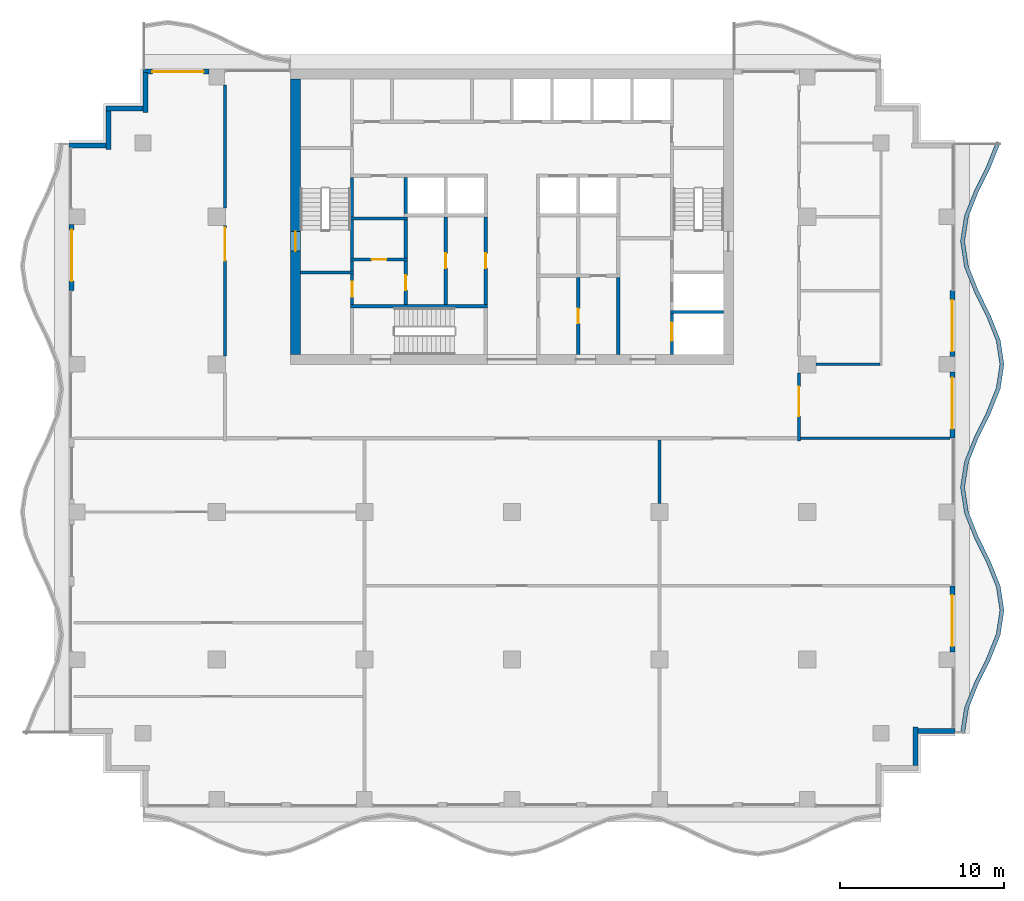
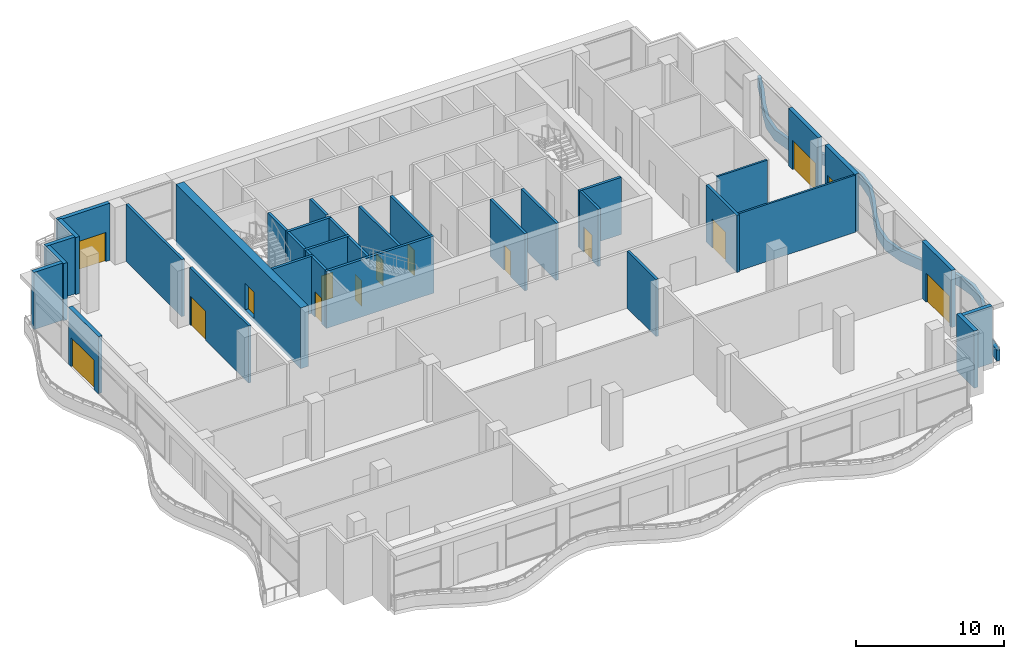
# One storey, part 8 of 15: 36 walls, 15 doors, 15 openings.
"""IFC4 building model written with IfcOpenShell, lengths in metres."""

from ifc_helpers import new_model, si_unit, direction, frame, frame_2d, origin, place, context, subcontext, project, spatial, polyline, rectangle, outline, extrude, material, layer, layer_set, type_object, element, fill, save


model = new_model("IFC4")

# Units and contexts
model_context = context("Model", 3, precision=1e-05, world=origin(), true_north=direction((0.0, 1.0)))
body_context = subcontext(model_context, "Body", "Model", "MODEL_VIEW")
ifc_project = project(units=[si_unit("LENGTHUNIT", "METRE"), si_unit("AREAUNIT", "SQUARE_METRE"), si_unit("VOLUMEUNIT", "CUBIC_METRE"), si_unit("PLANEANGLEUNIT", "RADIAN"), si_unit("MASSUNIT", "GRAM", prefix="KILO")], contexts=[model_context])

# Site, building, storey
site_placement = place(None, origin())
site = spatial("IfcSite", under=ifc_project, at=site_placement, CompositionType="ELEMENT")
building_placement = place(site_placement, origin())
building = spatial("IfcBuilding", under=site, at=building_placement, Name="Orbiselva Terraces", CompositionType="ELEMENT")
storey_placement = place(building_placement, frame((0.0, 0.0, 233.8)))
storey = spatial("IfcBuildingStorey", under=building, at=storey_placement, Name="L59", CompositionType="ELEMENT", Elevation=233.8)

# Wall, opening, door
ifc_material_1 = material(Name="Concrete C80/95", Category="concrete")
ifc_layer_1 = layer(ifc_material_1, 0.6)
ifc_layer_set_1 = layer_set([ifc_layer_1], Name="Concrete C80/95")
wall_type_1 = type_object("IfcWallType", Name="CORE WALL 600", PredefinedType="SHEAR", material=ifc_layer_set_1)
wall_1_placement = place(storey_placement, frame((-13.2, 21.9, -0.3), z_axis=(0.0, 0.0, 1.0), x_axis=(0.0, -1.0, 0.0)))
wall_1 = element("IfcWall", 1, at=wall_1_placement, inside=storey, type_object=wall_type_1, Name="Core wall L59 west", PredefinedType="SHEAR", context=body_context, shape_type="SweptSolid", body=[
    extrude(rectangle(XDim=16.8, YDim=0.6, at=frame_2d((8.4, 0.0))), origin(), (0.0, 0.0, 1.0), 5.0),
])
opening_1_placement = place(wall_1_placement, frame((9.3, 0.0, 0.3)))
opening_1 = element("IfcOpeningElement", 2, at=opening_1_placement, cuts=wall_1, Name="Opening DS1200", PredefinedType="OPENING", context=body_context, shape_type="SweptSolid", body=[
    extrude(rectangle(XDim=1.2, YDim=2.2, at=frame_2d((0.6, 1.1))), frame((0.0, 0.31, 0.0), z_axis=(0.0, -1.0, 0.0), x_axis=(1.0, 0.0, 0.0)), (0.0, 0.0, 1.0), 0.62),
])
ifc_material_2 = material(Name="Steel fire door", Category="steel")
door_type_1 = type_object("IfcDoorType", Name="STAIR DOOR 1200", OperationType="NOTDEFINED", PredefinedType="DOOR", material=ifc_material_2)
door_1_placement = place(opening_1_placement, frame((1.2, 0.0, 0.0), z_axis=(0.0, 0.0, 1.0), x_axis=(-1.0, 0.0, 0.0)))
door_1 = element("IfcDoor", 3, at=door_1_placement, inside=storey, type_object=door_type_1, Name="L59 EXIT STAIR S1 door", OperationType="SINGLE_SWING_RIGHT", OverallHeight=2.2, OverallWidth=1.2, PredefinedType="DOOR", context=body_context, shape_type="SweptSolid", body=[
    extrude(rectangle(XDim=1.2, YDim=2.2, at=frame_2d((0.6, 1.1))), frame((0.0, 0.025, 0.0), z_axis=(0.0, -1.0, 0.0), x_axis=(1.0, 0.0, 0.0)), (0.0, 0.0, 1.0), 0.05),
])
fill(opening_1, door_1)

ifc_material_3 = material(Name="Masonry blockwork", Category="masonry")
ifc_layer_2 = layer(ifc_material_3, 0.2)
ifc_layer_set_2 = layer_set([ifc_layer_2], Name="Masonry blockwork")
wall_type_2 = type_object("IfcWallType", Name="CORE-WALL-PARTITION-200", PredefinedType="PARTITIONING", material=ifc_layer_set_2)
wall_2_placement = place(storey_placement, frame((-9.75, 8.15, 0.0), z_axis=(0.0, 0.0, 1.0), x_axis=(0.0, 1.0, 0.0)))
wall_2 = element("IfcWall", 4, at=wall_2_placement, inside=storey, type_object=wall_type_2, Name="L59 core wall 05", PredefinedType="PARTITIONING", context=body_context, shape_type="SweptSolid", body=[
    extrude(rectangle(XDim=1.85, YDim=0.2, at=frame_2d((0.925, 0.0))), origin(), (0.0, 0.0, 1.0), 4.7),
])
opening_2_placement = place(wall_2_placement, frame((0.475, 0.0, 0.0)))
opening_2 = element("IfcOpeningElement", 5, at=opening_2_placement, cuts=wall_2, Name="Opening DR900", PredefinedType="OPENING", context=body_context, shape_type="SweptSolid", body=[
    extrude(rectangle(XDim=0.9, YDim=2.1, at=frame_2d((0.45, 1.05))), frame((0.0, 0.11, 0.0), z_axis=(0.0, -1.0, 0.0), x_axis=(1.0, 0.0, 0.0)), (0.0, 0.0, 1.0), 0.22),
])
door_type_2 = type_object("IfcDoorType", Name="ROOM DOOR 900", OperationType="NOTDEFINED", PredefinedType="DOOR", material=ifc_material_2)
door_2_placement = place(opening_2_placement, origin())
door_2 = element("IfcDoor", 6, at=door_2_placement, inside=storey, type_object=door_type_2, Name="L59 STAFF WC door", OperationType="SINGLE_SWING_RIGHT", OverallHeight=2.1, OverallWidth=0.9, PredefinedType="DOOR", context=body_context, shape_type="SweptSolid", body=[
    extrude(rectangle(XDim=0.9, YDim=2.1, at=frame_2d((0.45, 1.05))), frame((0.0, 0.025, 0.0), z_axis=(0.0, -1.0, 0.0), x_axis=(1.0, 0.0, 0.0)), (0.0, 0.0, 1.0), 0.05),
])
fill(opening_2, door_2)

wall_3_placement = place(storey_placement, frame((-6.475, 8.15, 0.0), z_axis=(0.0, 0.0, 1.0), x_axis=(0.0, 1.0, 0.0)))
wall_3 = element("IfcWall", 7, at=wall_3_placement, inside=storey, type_object=wall_type_2, Name="L59 core wall 17", PredefinedType="PARTITIONING", context=body_context, shape_type="SweptSolid", body=[
    extrude(rectangle(XDim=2.65, YDim=0.2, at=frame_2d((1.325, 0.0))), origin(), (0.0, 0.0, 1.0), 4.7),
])
opening_3_placement = place(wall_3_placement, frame((0.875, 0.0, 0.0)))
opening_3 = element("IfcOpeningElement", 8, at=opening_3_placement, cuts=wall_3, Name="Opening DR900", PredefinedType="OPENING", context=body_context, shape_type="SweptSolid", body=[
    extrude(rectangle(XDim=0.9, YDim=2.1, at=frame_2d((0.45, 1.05))), frame((0.0, 0.11, 0.0), z_axis=(0.0, -1.0, 0.0), x_axis=(1.0, 0.0, 0.0)), (0.0, 0.0, 1.0), 0.22),
])
door_3_placement = place(opening_3_placement, origin())
door_3 = element("IfcDoor", 9, at=door_3_placement, inside=storey, type_object=door_type_2, Name="L59 UNIFORM STORE door", OperationType="SINGLE_SWING_LEFT", OverallHeight=2.1, OverallWidth=0.9, PredefinedType="DOOR", context=body_context, shape_type="SweptSolid", body=[
    extrude(rectangle(XDim=0.9, YDim=2.1, at=frame_2d((0.45, 1.05))), frame((0.0, 0.025, 0.0), z_axis=(0.0, -1.0, 0.0), x_axis=(1.0, 0.0, 0.0)), (0.0, 0.0, 1.0), 0.05),
])
fill(opening_3, door_3)

# Wall
wall_4_placement = place(storey_placement, frame((-6.475, 11.0, 0.0), z_axis=(0.0, 0.0, 1.0), x_axis=(0.0, 1.0, 0.0)))
element("IfcWall", 10, at=wall_4_placement, inside=storey, type_object=wall_type_2, Name="L59 core wall 18", PredefinedType="PARTITIONING", context=body_context, shape_type="SweptSolid", body=[
    extrude(rectangle(XDim=2.3, YDim=0.2, at=frame_2d((1.15, 0.0))), origin(), (0.0, 0.0, 1.0), 4.7),
])

# Wall, opening, door
wall_5_placement = place(storey_placement, frame((-4.0375, 8.15, 0.0), z_axis=(0.0, 0.0, 1.0), x_axis=(0.0, 1.0, 0.0)))
wall_5 = element("IfcWall", 11, at=wall_5_placement, inside=storey, type_object=wall_type_2, Name="L59 core wall 21", PredefinedType="PARTITIONING", context=body_context, shape_type="SweptSolid", body=[
    extrude(rectangle(XDim=5.35, YDim=0.2, at=frame_2d((2.675, 0.0))), origin(), (0.0, 0.0, 1.0), 4.7),
])
opening_4_placement = place(wall_5_placement, frame((2.225, 0.0, 0.0)))
opening_4 = element("IfcOpeningElement", 12, at=opening_4_placement, cuts=wall_5, Name="Opening DR900", PredefinedType="OPENING", context=body_context, shape_type="SweptSolid", body=[
    extrude(rectangle(XDim=0.9, YDim=2.1, at=frame_2d((0.45, 1.05))), frame((0.0, 0.11, 0.0), z_axis=(0.0, -1.0, 0.0), x_axis=(1.0, 0.0, 0.0)), (0.0, 0.0, 1.0), 0.22),
])
door_4_placement = place(opening_4_placement, origin())
door_4 = element("IfcDoor", 13, at=door_4_placement, inside=storey, type_object=door_type_2, Name="L59 BUILDING STORE door", OperationType="SINGLE_SWING_RIGHT", OverallHeight=2.1, OverallWidth=0.9, PredefinedType="DOOR", context=body_context, shape_type="SweptSolid", body=[
    extrude(rectangle(XDim=0.9, YDim=2.1, at=frame_2d((0.45, 1.05))), frame((0.0, 0.025, 0.0), z_axis=(0.0, -1.0, 0.0), x_axis=(1.0, 0.0, 0.0)), (0.0, 0.0, 1.0), 0.05),
])
fill(opening_4, door_4)

wall_6_placement = place(storey_placement, frame((4.0375, 9.8, 0.0), z_axis=(0.0, 0.0, 1.0), x_axis=(0.0, -1.0, 0.0)))
wall_6 = element("IfcWall", 14, at=wall_6_placement, inside=storey, type_object=wall_type_2, Name="L59 core wall 35", PredefinedType="PARTITIONING", context=body_context, shape_type="SweptSolid", body=[
    extrude(rectangle(XDim=4.7, YDim=0.2, at=frame_2d((2.35, 0.0))), origin(), (0.0, 0.0, 1.0), 4.7),
])
opening_5_placement = place(wall_6_placement, frame((1.9, 0.0, 0.0)))
opening_5 = element("IfcOpeningElement", 15, at=opening_5_placement, cuts=wall_6, Name="Opening DR900", PredefinedType="OPENING", context=body_context, shape_type="SweptSolid", body=[
    extrude(rectangle(XDim=0.9, YDim=2.1, at=frame_2d((0.45, 1.05))), frame((0.0, 0.11, 0.0), z_axis=(0.0, -1.0, 0.0), x_axis=(1.0, 0.0, 0.0)), (0.0, 0.0, 1.0), 0.22),
])
door_5_placement = place(opening_5_placement, origin())
door_5 = element("IfcDoor", 16, at=door_5_placement, inside=storey, type_object=door_type_2, Name="L59 SPARE PARTS STORE door", OperationType="SINGLE_SWING_LEFT", OverallHeight=2.1, OverallWidth=0.9, PredefinedType="DOOR", context=body_context, shape_type="SweptSolid", body=[
    extrude(rectangle(XDim=0.9, YDim=2.1, at=frame_2d((0.45, 1.05))), frame((0.0, 0.025, 0.0), z_axis=(0.0, -1.0, 0.0), x_axis=(1.0, 0.0, 0.0)), (0.0, 0.0, 1.0), 0.05),
])
fill(opening_5, door_5)

# Walls
ifc_material_4 = material(Name="Concrete C40/50", Category="concrete")
ifc_layer_3 = layer(ifc_material_4, 0.2)
ifc_layer_set_3 = layer_set([ifc_layer_3], Name="Concrete C40/50")
wall_type_3 = type_object("IfcWallType", Name="CORE-WALL-SHAFT-200", PredefinedType="PARTITIONING", material=ifc_layer_set_3)
wall_7_placement = place(storey_placement, frame((-6.475, 13.7, 0.0), z_axis=(0.0, 0.0, 1.0), x_axis=(0.0, 1.0, 0.0)))
element("IfcWall", 17, at=wall_7_placement, inside=storey, type_object=wall_type_3, Name="L59 core wall 20", PredefinedType="PARTITIONING", context=body_context, shape_type="SweptSolid", body=[
    extrude(rectangle(XDim=2.2, YDim=0.2, at=frame_2d((1.1, 0.0))), origin(), (0.0, 0.0, 1.0), 4.7),
])
ifc_material_5 = material(Name="Concrete C60/75", Category="concrete")
ifc_layer_4 = layer(ifc_material_5, 0.2)
ifc_layer_set_4 = layer_set([ifc_layer_4], Name="Concrete C60/75")
wall_type_4 = type_object("IfcWallType", Name="CORE-WALL-SHEAR-200", PredefinedType="SHEAR", material=ifc_layer_set_4)
wall_8_placement = place(storey_placement, frame((-12.9, 10.1, 0.0), z_axis=(0.0, 0.0, 1.0), x_axis=(1.0, 0.0, 0.0)))
element("IfcWall", 18, at=wall_8_placement, inside=storey, type_object=wall_type_4, Name="L59 core wall 01", PredefinedType="SHEAR", context=body_context, shape_type="SweptSolid", body=[
    extrude(rectangle(XDim=3.25, YDim=0.2, at=frame_2d((1.625, 0.0))), origin(), (0.0, 0.0, 1.0), 4.7),
])
wall_9_placement = place(storey_placement, frame((-9.85, 8.05, 0.0), z_axis=(0.0, 0.0, 1.0), x_axis=(1.0, 0.0, 0.0)))
element("IfcWall", 19, at=wall_9_placement, inside=storey, type_object=wall_type_4, Name="L59 core wall 04", PredefinedType="SHEAR", context=body_context, shape_type="SweptSolid", body=[
    extrude(rectangle(XDim=8.35, YDim=0.2, at=frame_2d((4.175, 0.0))), origin(), (0.0, 0.0, 1.0), 4.7),
])
wall_10_placement = place(storey_placement, frame((-9.75, 10.2, 0.0), z_axis=(0.0, 0.0, 1.0), x_axis=(0.0, 1.0, 0.0)))
element("IfcWall", 20, at=wall_10_placement, inside=storey, type_object=wall_type_4, Name="L59 core wall 06", PredefinedType="SHEAR", context=body_context, shape_type="SweptSolid", body=[
    extrude(rectangle(XDim=0.6, YDim=0.2, at=frame_2d((0.3, 0.0))), origin(), (0.0, 0.0, 1.0), 4.7),
])

# Wall, opening, door
wall_11_placement = place(storey_placement, frame((-9.85, 10.9, 0.0), z_axis=(0.0, 0.0, 1.0), x_axis=(1.0, 0.0, 0.0)))
wall_11 = element("IfcWall", 21, at=wall_11_placement, inside=storey, type_object=wall_type_4, Name="L59 core wall 07", PredefinedType="SHEAR", context=body_context, shape_type="SweptSolid", body=[
    extrude(rectangle(XDim=3.475, YDim=0.2, at=frame_2d((1.7375, 0.0))), origin(), (0.0, 0.0, 1.0), 4.7),
])
opening_6_placement = place(wall_11_placement, frame((1.2875, 0.0, 0.0)))
opening_6 = element("IfcOpeningElement", 22, at=opening_6_placement, cuts=wall_11, Name="Opening DR900", PredefinedType="OPENING", context=body_context, shape_type="SweptSolid", body=[
    extrude(rectangle(XDim=0.9, YDim=2.1, at=frame_2d((0.45, 1.05))), frame((0.0, 0.11, 0.0), z_axis=(0.0, -1.0, 0.0), x_axis=(1.0, 0.0, 0.0)), (0.0, 0.0, 1.0), 0.22),
])
door_6_placement = place(opening_6_placement, origin())
door_6 = element("IfcDoor", 23, at=door_6_placement, inside=storey, type_object=door_type_2, Name="L59 LAUNDRY ROOM door", OperationType="SINGLE_SWING_RIGHT", OverallHeight=2.1, OverallWidth=0.9, PredefinedType="DOOR", context=body_context, shape_type="SweptSolid", body=[
    extrude(rectangle(XDim=0.9, YDim=2.1, at=frame_2d((0.45, 1.05))), frame((0.0, 0.025, 0.0), z_axis=(0.0, -1.0, 0.0), x_axis=(1.0, 0.0, 0.0)), (0.0, 0.0, 1.0), 0.05),
])
fill(opening_6, door_6)

# Walls
wall_12_placement = place(storey_placement, frame((-9.75, 11.0, 0.0), z_axis=(0.0, 0.0, 1.0), x_axis=(0.0, 1.0, 0.0)))
element("IfcWall", 24, at=wall_12_placement, inside=storey, type_object=wall_type_4, Name="L59 core wall 08", PredefinedType="SHEAR", context=body_context, shape_type="SweptSolid", body=[
    extrude(rectangle(XDim=2.3, YDim=0.2, at=frame_2d((1.15, 0.0))), origin(), (0.0, 0.0, 1.0), 4.7),
])
wall_13_placement = place(storey_placement, frame((-9.85, 13.4, 0.0), z_axis=(0.0, 0.0, 1.0), x_axis=(1.0, 0.0, 0.0)))
element("IfcWall", 25, at=wall_13_placement, inside=storey, type_object=wall_type_4, Name="L59 core wall 09", PredefinedType="SHEAR", context=body_context, shape_type="SweptSolid", body=[
    extrude(rectangle(XDim=3.475, YDim=0.2, at=frame_2d((1.7375, 0.0))), origin(), (0.0, 0.0, 1.0), 4.7),
])
wall_14_placement = place(storey_placement, frame((-9.75, 13.5, 0.0), z_axis=(0.0, 0.0, 1.0), x_axis=(0.0, 1.0, 0.0)))
element("IfcWall", 26, at=wall_14_placement, inside=storey, type_object=wall_type_4, Name="L59 core wall 10", PredefinedType="SHEAR", context=body_context, shape_type="SweptSolid", body=[
    extrude(rectangle(XDim=2.4, YDim=0.2, at=frame_2d((1.2, 0.0))), origin(), (0.0, 0.0, 1.0), 4.7),
])

# Wall, opening, door
wall_15_placement = place(storey_placement, frame((-1.6, 8.15, 0.0), z_axis=(0.0, 0.0, 1.0), x_axis=(0.0, 1.0, 0.0)))
wall_15 = element("IfcWall", 27, at=wall_15_placement, inside=storey, type_object=wall_type_4, Name="L59 core wall 25", PredefinedType="SHEAR", context=body_context, shape_type="SweptSolid", body=[
    extrude(rectangle(XDim=5.35, YDim=0.2, at=frame_2d((2.675, 0.0))), origin(), (0.0, 0.0, 1.0), 4.7),
])
opening_7_placement = place(wall_15_placement, frame((2.225, 0.0, 0.0)))
opening_7 = element("IfcOpeningElement", 28, at=opening_7_placement, cuts=wall_15, Name="Opening DR900", PredefinedType="OPENING", context=body_context, shape_type="SweptSolid", body=[
    extrude(rectangle(XDim=0.9, YDim=2.1, at=frame_2d((0.45, 1.05))), frame((0.0, 0.11, 0.0), z_axis=(0.0, -1.0, 0.0), x_axis=(1.0, 0.0, 0.0)), (0.0, 0.0, 1.0), 0.22),
])
door_7_placement = place(opening_7_placement, origin())
door_7 = element("IfcDoor", 29, at=door_7_placement, inside=storey, type_object=door_type_2, Name="L59 GUEST PANTRY door", OperationType="SINGLE_SWING_RIGHT", OverallHeight=2.1, OverallWidth=0.9, PredefinedType="DOOR", context=body_context, shape_type="SweptSolid", body=[
    extrude(rectangle(XDim=0.9, YDim=2.1, at=frame_2d((0.45, 1.05))), frame((0.0, 0.025, 0.0), z_axis=(0.0, -1.0, 0.0), x_axis=(1.0, 0.0, 0.0)), (0.0, 0.0, 1.0), 0.05),
])
fill(opening_7, door_7)

# Wall
wall_16_placement = place(storey_placement, frame((6.475, 5.1, 0.0), z_axis=(0.0, 0.0, 1.0), x_axis=(0.0, 1.0, 0.0)))
element("IfcWall", 30, at=wall_16_placement, inside=storey, type_object=wall_type_4, Name="L59 core wall 39", PredefinedType="SHEAR", context=body_context, shape_type="SweptSolid", body=[
    extrude(rectangle(XDim=4.7, YDim=0.2, at=frame_2d((2.35, 0.0))), origin(), (0.0, 0.0, 1.0), 4.7),
])

# Wall, opening, door
wall_17_placement = place(storey_placement, frame((9.75, 5.1, 0.0), z_axis=(0.0, 0.0, 1.0), x_axis=(0.0, 1.0, 0.0)))
wall_17 = element("IfcWall", 31, at=wall_17_placement, inside=storey, type_object=wall_type_4, Name="L59 core wall 45", PredefinedType="SHEAR", context=body_context, shape_type="SweptSolid", body=[
    extrude(rectangle(XDim=2.5, YDim=0.2, at=frame_2d((1.25, 0.0))), origin(), (0.0, 0.0, 1.0), 4.7),
])
opening_8_placement = place(wall_17_placement, frame((0.85, 0.0, 0.0)))
opening_8 = element("IfcOpeningElement", 32, at=opening_8_placement, cuts=wall_17, Name="Opening LD-FF1", PredefinedType="OPENING", context=body_context, shape_type="SweptSolid", body=[
    extrude(rectangle(XDim=1.1, YDim=2.1, at=frame_2d((0.55, 1.05))), frame((0.0, 0.11, 0.0), z_axis=(0.0, -1.0, 0.0), x_axis=(1.0, 0.0, 0.0)), (0.0, 0.0, 1.0), 0.22),
])
ifc_material_6 = material(Name="Stainless steel landing door", Category="steel")
door_type_3 = type_object("IfcDoorType", Name="LANDING DOOR 1100", OperationType="SLIDING_TO_LEFT", PredefinedType="DOOR", material=ifc_material_6)
door_8_placement = place(opening_8_placement, origin())
door_8 = element("IfcDoor", 33, at=door_8_placement, inside=storey, type_object=door_type_3, Name="L59 landing door FF1", OperationType="SLIDING_TO_RIGHT", OverallHeight=2.1, OverallWidth=1.1, PredefinedType="DOOR", context=body_context, shape_type="SweptSolid", body=[
    extrude(rectangle(XDim=1.1, YDim=2.1, at=frame_2d((0.55, 1.05))), frame((0.0, 0.025, 0.0), z_axis=(0.0, -1.0, 0.0), x_axis=(1.0, 0.0, 0.0)), (0.0, 0.0, 1.0), 0.05),
])
fill(opening_8, door_8)

# Walls
wall_18_placement = place(storey_placement, frame((9.65, 7.7, 0.0), z_axis=(0.0, 0.0, 1.0), x_axis=(1.0, 0.0, 0.0)))
element("IfcWall", 34, at=wall_18_placement, inside=storey, type_object=wall_type_4, Name="L59 core wall 46", PredefinedType="SHEAR", context=body_context, shape_type="SweptSolid", body=[
    extrude(rectangle(XDim=3.25, YDim=0.2, at=frame_2d((1.625, 0.0))), origin(), (0.0, 0.0, 1.0), 4.7),
])
ifc_layer_5 = layer(ifc_material_4, 0.25)
ifc_layer_set_5 = layer_set([ifc_layer_5], Name="Concrete C40/50")
wall_type_5 = type_object("IfcWallType", Name="ENV-PLANTER-250x900", PredefinedType="USERDEFINED", material=ifc_layer_set_5)
wall_19_placement = place(storey_placement, origin())
element("IfcWall", 35, at=wall_19_placement, inside=storey, type_object=wall_type_5, Name="Balcony planter L59 E", ObjectType="PLANTER", PredefinedType="USERDEFINED", context=body_context, shape_type="SweptSolid", body=[
    extrude(outline(polyline([(27.6, -18.0), (27.82918, -16.5), (28.42918, -15.0), (29.17082, -13.5), (29.77082, -12.0), (30.0, -10.5), (29.77082, -9.0), (29.17082, -7.5), (28.42918, -6.0), (27.82918, -4.5), (27.6, -3.0), (27.82918, -1.5), (28.42918, 0.0), (29.17082, 1.5), (29.77082, 3.0), (30.0, 4.5), (29.77082, 6.0), (29.17082, 7.5), (28.42918, 9.0), (27.82918, 10.5), (27.6, 12.0), (27.82918, 13.5), (28.42918, 15.0), (29.17082, 16.5), (29.77082, 18.0), (29.538701, 18.092848), (28.942355, 16.601983), (28.200715, 15.101983), (27.586388, 13.566166), (27.347099, 12.0), (27.586388, 10.433834), (28.200715, 8.898017), (28.942355, 7.398017), (29.528028, 5.933834), (29.747099, 4.5), (29.528028, 3.066166), (28.942355, 1.601983), (28.200715, 0.101983), (27.586388, -1.433834), (27.347099, -3.0), (27.586388, -4.566166), (28.200715, -6.101983), (28.942355, -7.601983), (29.528028, -9.066166), (29.747099, -10.5), (29.528028, -11.933834), (28.942355, -13.398017), (28.200715, -14.898017), (27.586388, -16.433834), (27.352868, -17.962242), (27.6, -18.0)])), origin(), (0.0, 0.0, 1.0), 0.9),
])
ifc_material_7 = material(Name="Terracotta cladding on masonry backing", Category="masonry")
ifc_layer_6 = layer(ifc_material_7, 0.3)
ifc_layer_set_6 = layer_set([ifc_layer_6], Name="Terracotta cladding on masonry backing")
wall_type_6 = type_object("IfcWallType", Name="ENV-WALL-TERRACOTTA-300", PredefinedType="SOLIDWALL", material=ifc_layer_set_6)
wall_20_placement = place(storey_placement, frame((24.6, -17.6, 0.0), z_axis=(0.0, 0.0, 1.0), x_axis=(0.0, -1.0, 0.0)))
element("IfcWall", 36, at=wall_20_placement, inside=storey, type_object=wall_type_6, Name="Facade wall L59 STEP", PredefinedType="SOLIDWALL", context=body_context, shape_type="SweptSolid", body=[
    extrude(rectangle(XDim=2.35, YDim=0.3, at=frame_2d((1.175, 0.0))), origin(), (0.0, 0.0, 1.0), 4.7),
])
wall_21_placement = place(storey_placement, frame((27.0, -17.85, 0.0), z_axis=(0.0, 0.0, 1.0), x_axis=(-1.0, 0.0, 0.0)))
element("IfcWall", 37, at=wall_21_placement, inside=storey, type_object=wall_type_6, Name="Facade wall L59 STEP", PredefinedType="SOLIDWALL", context=body_context, shape_type="SweptSolid", body=[
    extrude(rectangle(XDim=2.25, YDim=0.3, at=frame_2d((1.125, 0.0))), origin(), (0.0, 0.0, 1.0), 4.7),
])

# Wall, opening, door
wall_22_placement = place(storey_placement, frame((26.85, -9.0, 0.0), z_axis=(0.0, 0.0, 1.0), x_axis=(0.0, -1.0, 0.0)))
wall_22 = element("IfcWall", 38, at=wall_22_placement, inside=storey, type_object=wall_type_6, Name="Facade wall L59 E", PredefinedType="SOLIDWALL", context=body_context, shape_type="SweptSolid", body=[
    extrude(rectangle(XDim=4.025, YDim=0.3, at=frame_2d((2.0125, 0.0))), origin(), (0.0, 0.0, 1.0), 4.7),
])
opening_9_placement = place(wall_22_placement, frame((0.575, 0.0, 0.0)))
opening_9 = element("IfcOpeningElement", 39, at=opening_9_placement, cuts=wall_22, Name="Opening SKY-4-E05", PredefinedType="OPENING", context=body_context, shape_type="SweptSolid", body=[
    extrude(rectangle(XDim=3.125, YDim=2.4, at=frame_2d((1.5625, 1.2))), frame((0.0, 0.16, 0.0), z_axis=(0.0, -1.0, 0.0), x_axis=(1.0, 0.0, 0.0)), (0.0, 0.0, 1.0), 0.32),
])
ifc_material_8 = material(Name="Clear low-e glazing in aluminium frame", Category="aluminium")
door_type_4 = type_object("IfcDoorType", Name="BALCONY DOOR 3125 X 2400", OperationType="DOUBLE_DOOR_SLIDING", PredefinedType="DOOR", material=ifc_material_8)
door_9_placement = place(opening_9_placement, origin())
door_9 = element("IfcDoor", 40, at=door_9_placement, inside=storey, type_object=door_type_4, Name="SKY-4-E05", OperationType="SINGLE_SWING_LEFT", OverallHeight=2.4, OverallWidth=3.125, PredefinedType="DOOR", context=body_context, shape_type="SweptSolid", body=[
    extrude(rectangle(XDim=3.125, YDim=2.4, at=frame_2d((1.5625, 1.2))), frame((0.0, 0.025, 0.0), z_axis=(0.0, -1.0, 0.0), x_axis=(1.0, 0.0, 0.0)), (0.0, 0.0, 1.0), 0.05),
])
fill(opening_9, door_9)

wall_23_placement = place(storey_placement, frame((26.85, 4.025, 0.0), z_axis=(0.0, 0.0, 1.0), x_axis=(0.0, -1.0, 0.0)))
wall_23 = element("IfcWall", 41, at=wall_23_placement, inside=storey, type_object=wall_type_6, Name="Facade wall L59 E", PredefinedType="SOLIDWALL", context=body_context, shape_type="SweptSolid", body=[
    extrude(rectangle(XDim=4.025, YDim=0.3, at=frame_2d((2.0125, 0.0))), origin(), (0.0, 0.0, 1.0), 4.7),
])
opening_10_placement = place(wall_23_placement, frame((0.325, 0.0, 0.0)))
opening_10 = element("IfcOpeningElement", 42, at=opening_10_placement, cuts=wall_23, Name="Opening SKY-4-E06", PredefinedType="OPENING", context=body_context, shape_type="SweptSolid", body=[
    extrude(rectangle(XDim=3.125, YDim=2.4, at=frame_2d((1.5625, 1.2))), frame((0.0, 0.16, 0.0), z_axis=(0.0, -1.0, 0.0), x_axis=(1.0, 0.0, 0.0)), (0.0, 0.0, 1.0), 0.32),
])
door_10_placement = place(opening_10_placement, origin())
door_10 = element("IfcDoor", 43, at=door_10_placement, inside=storey, type_object=door_type_4, Name="SKY-4-E06", OperationType="SINGLE_SWING_LEFT", OverallHeight=2.4, OverallWidth=3.125, PredefinedType="DOOR", context=body_context, shape_type="SweptSolid", body=[
    extrude(rectangle(XDim=3.125, YDim=2.4, at=frame_2d((1.5625, 1.2))), frame((0.0, 0.025, 0.0), z_axis=(0.0, -1.0, 0.0), x_axis=(1.0, 0.0, 0.0)), (0.0, 0.0, 1.0), 0.05),
])
fill(opening_10, door_10)

wall_24_placement = place(storey_placement, frame((26.85, 9.0, 0.0), z_axis=(0.0, 0.0, 1.0), x_axis=(0.0, -1.0, 0.0)))
wall_24 = element("IfcWall", 44, at=wall_24_placement, inside=storey, type_object=wall_type_6, Name="Facade wall L59 E", PredefinedType="SOLIDWALL", context=body_context, shape_type="SweptSolid", body=[
    extrude(rectangle(XDim=4.025, YDim=0.3, at=frame_2d((2.0125, 0.0))), origin(), (0.0, 0.0, 1.0), 4.7),
])
opening_11_placement = place(wall_24_placement, frame((0.575, 0.0, 0.0)))
opening_11 = element("IfcOpeningElement", 45, at=opening_11_placement, cuts=wall_24, Name="Opening SKY-4-E07", PredefinedType="OPENING", context=body_context, shape_type="SweptSolid", body=[
    extrude(rectangle(XDim=3.125, YDim=2.4, at=frame_2d((1.5625, 1.2))), frame((0.0, 0.16, 0.0), z_axis=(0.0, -1.0, 0.0), x_axis=(1.0, 0.0, 0.0)), (0.0, 0.0, 1.0), 0.32),
])
door_11_placement = place(opening_11_placement, origin())
door_11 = element("IfcDoor", 46, at=door_11_placement, inside=storey, type_object=door_type_4, Name="SKY-4-E07", OperationType="SINGLE_SWING_LEFT", OverallHeight=2.4, OverallWidth=3.125, PredefinedType="DOOR", context=body_context, shape_type="SweptSolid", body=[
    extrude(rectangle(XDim=3.125, YDim=2.4, at=frame_2d((1.5625, 1.2))), frame((0.0, 0.025, 0.0), z_axis=(0.0, -1.0, 0.0), x_axis=(1.0, 0.0, 0.0)), (0.0, 0.0, 1.0), 0.05),
])
fill(opening_11, door_11)

wall_25_placement = place(storey_placement, frame((-22.5, 22.35, 0.0), z_axis=(0.0, 0.0, 1.0), x_axis=(1.0, 0.0, 0.0)))
wall_25 = element("IfcWall", 47, at=wall_25_placement, inside=storey, type_object=wall_type_6, Name="Facade wall L59 NW", PredefinedType="SOLIDWALL", context=body_context, shape_type="SweptSolid", body=[
    extrude(rectangle(XDim=4.025, YDim=0.3, at=frame_2d((2.0125, 0.0))), origin(), (0.0, 0.0, 1.0), 4.7),
])
opening_12_placement = place(wall_25_placement, frame((0.575, 0.0, 0.0)))
opening_12 = element("IfcOpeningElement", 48, at=opening_12_placement, cuts=wall_25, Name="Opening SKY-4-E09", PredefinedType="OPENING", context=body_context, shape_type="SweptSolid", body=[
    extrude(rectangle(XDim=3.125, YDim=2.4, at=frame_2d((1.5625, 1.2))), frame((0.0, 0.16, 0.0), z_axis=(0.0, -1.0, 0.0), x_axis=(1.0, 0.0, 0.0)), (0.0, 0.0, 1.0), 0.32),
])
door_12_placement = place(opening_12_placement, origin())
door_12 = element("IfcDoor", 49, at=door_12_placement, inside=storey, type_object=door_type_4, Name="SKY-4-E09", OperationType="SINGLE_SWING_LEFT", OverallHeight=2.4, OverallWidth=3.125, PredefinedType="DOOR", context=body_context, shape_type="SweptSolid", body=[
    extrude(rectangle(XDim=3.125, YDim=2.4, at=frame_2d((1.5625, 1.2))), frame((0.0, 0.025, 0.0), z_axis=(0.0, -1.0, 0.0), x_axis=(1.0, 0.0, 0.0)), (0.0, 0.0, 1.0), 0.05),
])
fill(opening_12, door_12)

# Walls
wall_26_placement = place(storey_placement, frame((-22.35, 19.85, 0.0), z_axis=(0.0, 0.0, 1.0), x_axis=(0.0, 1.0, 0.0)))
element("IfcWall", 50, at=wall_26_placement, inside=storey, type_object=wall_type_6, Name="Facade wall L59 STEP", PredefinedType="SOLIDWALL", context=body_context, shape_type="SweptSolid", body=[
    extrude(rectangle(XDim=2.45, YDim=0.3, at=frame_2d((1.225, 0.0))), origin(), (0.0, 0.0, 1.0), 4.7),
])
wall_27_placement = place(storey_placement, frame((-24.75, 20.1, 0.0), z_axis=(0.0, 0.0, 1.0), x_axis=(1.0, 0.0, 0.0)))
element("IfcWall", 51, at=wall_27_placement, inside=storey, type_object=wall_type_6, Name="Facade wall L59 STEP", PredefinedType="SOLIDWALL", context=body_context, shape_type="SweptSolid", body=[
    extrude(rectangle(XDim=2.25, YDim=0.3, at=frame_2d((1.125, 0.0))), origin(), (0.0, 0.0, 1.0), 4.7),
])
wall_28_placement = place(storey_placement, frame((-24.6, 17.6, 0.0), z_axis=(0.0, 0.0, 1.0), x_axis=(0.0, 1.0, 0.0)))
element("IfcWall", 52, at=wall_28_placement, inside=storey, type_object=wall_type_6, Name="Facade wall L59 STEP", PredefinedType="SOLIDWALL", context=body_context, shape_type="SweptSolid", body=[
    extrude(rectangle(XDim=2.35, YDim=0.3, at=frame_2d((1.175, 0.0))), origin(), (0.0, 0.0, 1.0), 4.7),
])
wall_29_placement = place(storey_placement, frame((-27.0, 17.85, 0.0), z_axis=(0.0, 0.0, 1.0), x_axis=(1.0, 0.0, 0.0)))
element("IfcWall", 53, at=wall_29_placement, inside=storey, type_object=wall_type_6, Name="Facade wall L59 STEP", PredefinedType="SOLIDWALL", context=body_context, shape_type="SweptSolid", body=[
    extrude(rectangle(XDim=2.25, YDim=0.3, at=frame_2d((1.125, 0.0))), origin(), (0.0, 0.0, 1.0), 4.7),
])

# Wall, opening, door
wall_30_placement = place(storey_placement, frame((-26.85, 9.0, 0.0), z_axis=(0.0, 0.0, 1.0), x_axis=(0.0, 1.0, 0.0)))
wall_30 = element("IfcWall", 54, at=wall_30_placement, inside=storey, type_object=wall_type_6, Name="Facade wall L59 W", PredefinedType="SOLIDWALL", context=body_context, shape_type="SweptSolid", body=[
    extrude(rectangle(XDim=4.025, YDim=0.3, at=frame_2d((2.0125, 0.0))), origin(), (0.0, 0.0, 1.0), 4.7),
])
opening_13_placement = place(wall_30_placement, frame((0.575, 0.0, 0.0)))
opening_13 = element("IfcOpeningElement", 55, at=opening_13_placement, cuts=wall_30, Name="Opening SKY-4-E10", PredefinedType="OPENING", context=body_context, shape_type="SweptSolid", body=[
    extrude(rectangle(XDim=3.125, YDim=2.4, at=frame_2d((1.5625, 1.2))), frame((0.0, 0.16, 0.0), z_axis=(0.0, -1.0, 0.0), x_axis=(1.0, 0.0, 0.0)), (0.0, 0.0, 1.0), 0.32),
])
door_13_placement = place(opening_13_placement, origin())
door_13 = element("IfcDoor", 56, at=door_13_placement, inside=storey, type_object=door_type_4, Name="SKY-4-E10", OperationType="SINGLE_SWING_LEFT", OverallHeight=2.4, OverallWidth=3.125, PredefinedType="DOOR", context=body_context, shape_type="SweptSolid", body=[
    extrude(rectangle(XDim=3.125, YDim=2.4, at=frame_2d((1.5625, 1.2))), frame((0.0, 0.025, 0.0), z_axis=(0.0, -1.0, 0.0), x_axis=(1.0, 0.0, 0.0)), (0.0, 0.0, 1.0), 0.05),
])
fill(opening_13, door_13)

ifc_material_9 = material(Name="Plasterboard on steel stud partition", Category="steel")
ifc_layer_7 = layer(ifc_material_9, 0.2)
ifc_layer_set_7 = layer_set([ifc_layer_7], Name="Plasterboard on steel stud partition")
wall_type_7 = type_object("IfcWallType", Name="UNIT-ENTRANCE-WALL-200", PredefinedType="PARTITIONING", material=ifc_layer_set_7)
wall_31_placement = place(storey_placement, frame((-17.5, 12.975, 0.0), z_axis=(0.0, 0.0, 1.0), x_axis=(0.0, -1.0, 0.0)))
wall_31 = element("IfcWall", 57, at=wall_31_placement, inside=storey, type_object=wall_type_7, Name="PARTITION L59-015", PredefinedType="PARTITIONING", context=body_context, shape_type="SweptSolid", body=[
    extrude(rectangle(XDim=7.95, YDim=0.2, at=frame_2d((3.975, 0.0))), origin(), (0.0, 0.0, 1.0), 4.7),
])
opening_14_placement = place(wall_31_placement, frame((0.15, 0.0, 0.0)))
opening_14 = element("IfcOpeningElement", 58, at=opening_14_placement, cuts=wall_31, Name="Opening SKY-4-05", PredefinedType="OPENING", context=body_context, shape_type="SweptSolid", body=[
    extrude(rectangle(XDim=2.0, YDim=2.4, at=frame_2d((1.0, 1.2))), frame((0.0, 0.11, 0.0), z_axis=(0.0, -1.0, 0.0), x_axis=(1.0, 0.0, 0.0)), (0.0, 0.0, 1.0), 0.22),
])
ifc_material_10 = material(Name="Painted timber door leaf", Category="wood")
door_type_5 = type_object("IfcDoorType", Name="AMENITY DOUBLE DOOR 2000", OperationType="NOTDEFINED", PredefinedType="DOOR", material=ifc_material_10)
door_14_placement = place(opening_14_placement, origin())
door_14 = element("IfcDoor", 59, at=door_14_placement, inside=storey, type_object=door_type_5, Name="SKY-4-05", OperationType="DOUBLE_DOOR_SINGLE_SWING", OverallHeight=2.4, OverallWidth=2.0, PredefinedType="DOOR", context=body_context, shape_type="SweptSolid", body=[
    extrude(rectangle(XDim=2.0, YDim=2.4, at=frame_2d((1.0, 1.2))), frame((0.0, 0.025, 0.0), z_axis=(0.0, -1.0, 0.0), x_axis=(1.0, 0.0, 0.0)), (0.0, 0.0, 1.0), 0.05),
])
fill(opening_14, door_14)

# Wall
wall_32_placement = place(storey_placement, frame((-17.5, 14.025, 0.0), z_axis=(0.0, 0.0, 1.0), x_axis=(0.0, 1.0, 0.0)))
element("IfcWall", 60, at=wall_32_placement, inside=storey, type_object=wall_type_7, Name="PARTITION L59-016", PredefinedType="PARTITIONING", context=body_context, shape_type="SweptSolid", body=[
    extrude(rectangle(XDim=7.525, YDim=0.2, at=frame_2d((3.7625, 0.0))), origin(), (0.0, 0.0, 1.0), 4.7),
])

# Wall, opening, door
wall_33_placement = place(storey_placement, frame((17.5, -0.175, 0.0), z_axis=(0.0, 0.0, 1.0), x_axis=(0.0, 1.0, 0.0)))
wall_33 = element("IfcWall", 61, at=wall_33_placement, inside=storey, type_object=wall_type_7, Name="PARTITION L59-023", PredefinedType="PARTITIONING", context=body_context, shape_type="SweptSolid", body=[
    extrude(rectangle(XDim=4.15, YDim=0.2, at=frame_2d((2.075, 0.0))), origin(), (0.0, 0.0, 1.0), 4.7),
])
opening_15_placement = place(wall_33_placement, frame((1.525, 0.0, 0.0)))
opening_15 = element("IfcOpeningElement", 62, at=opening_15_placement, cuts=wall_33, Name="Opening SKY-4-01", PredefinedType="OPENING", context=body_context, shape_type="SweptSolid", body=[
    extrude(rectangle(XDim=1.8, YDim=2.4, at=frame_2d((0.9, 1.2))), frame((0.0, 0.11, 0.0), z_axis=(0.0, -1.0, 0.0), x_axis=(1.0, 0.0, 0.0)), (0.0, 0.0, 1.0), 0.22),
])
door_type_6 = type_object("IfcDoorType", Name="DOUBLE DOOR 1800", OperationType="NOTDEFINED", PredefinedType="DOOR", material=ifc_material_10)
door_15_placement = place(opening_15_placement, origin())
door_15 = element("IfcDoor", 63, at=door_15_placement, inside=storey, type_object=door_type_6, Name="SKY-4-01", OperationType="DOUBLE_DOOR_SINGLE_SWING", OverallHeight=2.4, OverallWidth=1.8, PredefinedType="DOOR", context=body_context, shape_type="SweptSolid", body=[
    extrude(rectangle(XDim=1.8, YDim=2.4, at=frame_2d((0.9, 1.2))), frame((0.0, 0.025, 0.0), z_axis=(0.0, -1.0, 0.0), x_axis=(1.0, 0.0, 0.0)), (0.0, 0.0, 1.0), 0.05),
])
fill(opening_15, door_15)

# Walls
ifc_layer_8 = layer(ifc_material_9, 0.15)
ifc_layer_set_8 = layer_set([ifc_layer_8], Name="Plasterboard on steel stud partition")
wall_type_8 = type_object("IfcWallType", Name="UNIT-PARTITION-150", PredefinedType="PARTITIONING", material=ifc_layer_set_8)
wall_34_placement = place(storey_placement, frame((17.6, 0.0, 0.0), z_axis=(0.0, 0.0, 1.0), x_axis=(1.0, 0.0, 0.0)))
element("IfcWall", 64, at=wall_34_placement, inside=storey, type_object=wall_type_8, Name="PARTITION L59-009", PredefinedType="PARTITIONING", context=body_context, shape_type="SweptSolid", body=[
    extrude(rectangle(XDim=9.1, YDim=0.15, at=frame_2d((4.55, 0.0))), origin(), (0.0, 0.0, 1.0), 4.7),
])
wall_35_placement = place(storey_placement, frame((18.525, 4.5, 0.0), z_axis=(0.0, 0.0, 1.0), x_axis=(1.0, 0.0, 0.0)))
element("IfcWall", 65, at=wall_35_placement, inside=storey, type_object=wall_type_8, Name="PARTITION L59-010", PredefinedType="PARTITIONING", context=body_context, shape_type="SweptSolid", body=[
    extrude(rectangle(XDim=3.9, YDim=0.15, at=frame_2d((1.95, 0.0))), origin(), (0.0, 0.0, 1.0), 4.7),
])
ifc_layer_9 = layer(ifc_material_9, 0.2)
ifc_layer_set_9 = layer_set([ifc_layer_9], Name="Plasterboard on steel stud partition")
wall_type_9 = type_object("IfcWallType", Name="UNIT-PARTY-WALL-200", PredefinedType="PARTITIONING", material=ifc_layer_set_9)
wall_36_placement = place(storey_placement, frame((9.0, -3.975, 0.0), z_axis=(0.0, 0.0, 1.0), x_axis=(0.0, 1.0, 0.0)))
element("IfcWall", 66, at=wall_36_placement, inside=storey, type_object=wall_type_9, Name="PARTITION L59-022", PredefinedType="PARTITIONING", context=body_context, shape_type="SweptSolid", body=[
    extrude(rectangle(XDim=3.875, YDim=0.2, at=frame_2d((1.9375, 0.0))), origin(), (0.0, 0.0, 1.0), 4.7),
])

save(model, "model.ifc")
